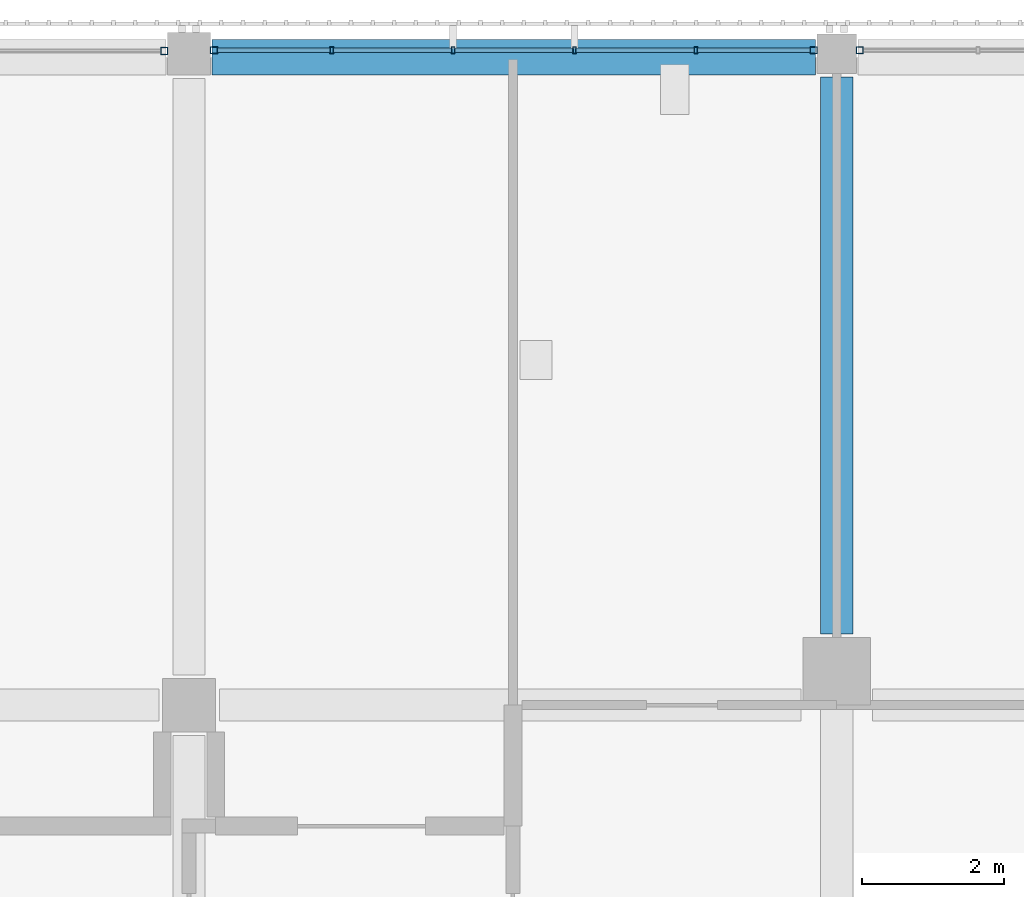
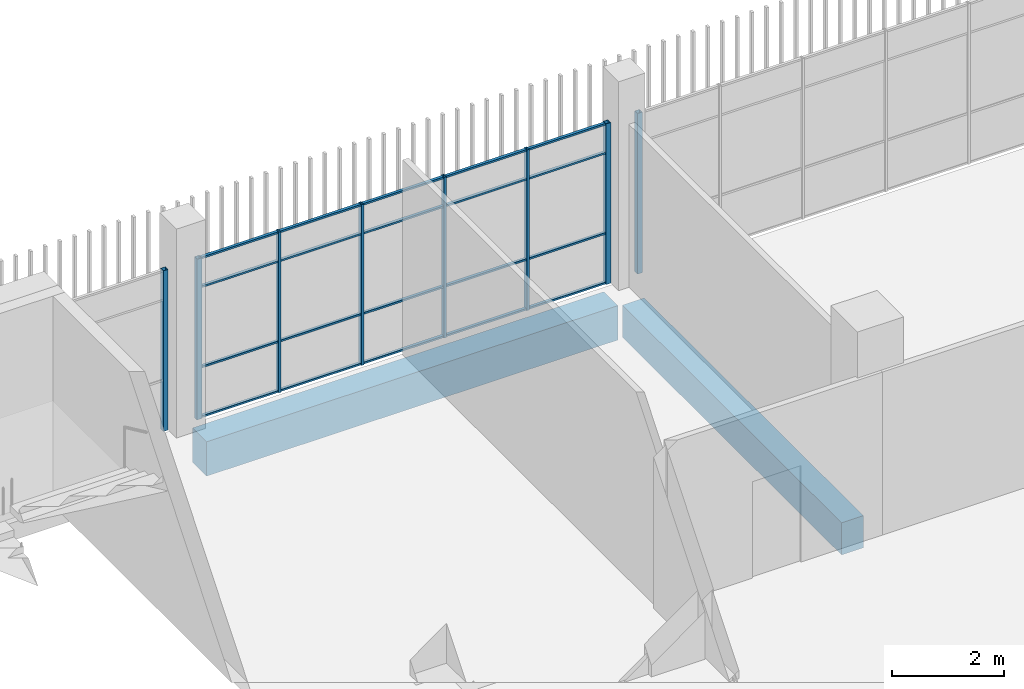
# One storey, part 24 of 104: 28 members, 2 beams, 3 elements without a shape of their own.
"""IFC4 building model written with IfcOpenShell, lengths in metres."""

from ifc_helpers import new_model, si_unit, direction, frame, origin, origin_2d, place, context, subcontext, project, spatial, rectangle, hollow_rectangle, extrude, material, layer, layer_set, material_profile, profile_set, type_object, element, aggregate, save


model = new_model("IFC4")

# Units and contexts
model_context = context("Model", 3, precision=1e-05, world=origin(), true_north=direction((0.0, 1.0)))
body_context = subcontext(model_context, "Body", "Model", "MODEL_VIEW")
ifc_project = project(units=[si_unit("LENGTHUNIT", "METRE"), si_unit("AREAUNIT", "SQUARE_METRE"), si_unit("VOLUMEUNIT", "CUBIC_METRE"), si_unit("PLANEANGLEUNIT", "RADIAN"), si_unit("MASSUNIT", "GRAM", prefix="KILO")], contexts=[model_context])

# Site, building, storey
site_placement = place(None, origin())
site = spatial("IfcSite", under=ifc_project, at=site_placement, CompositionType="ELEMENT")
building_placement = place(site_placement, origin())
building = spatial("IfcBuilding", under=site, at=building_placement, Name="Shirokan Park Arena", CompositionType="ELEMENT")
storey_placement = place(building_placement, frame((0.0, 0.0, 10.919921875)))
storey = spatial("IfcBuildingStorey", under=building, at=storey_placement, Name="L02", CompositionType="ELEMENT", Elevation=10.919921875)

# Curtain wall, member
ifc_material_1 = material(Name="Steel and glass curtain wall", Category="steel")
ifc_layer_1 = layer(ifc_material_1, 0.10009765625)
ifc_layer_set_1 = layer_set([ifc_layer_1], Name="Steel and glass curtain wall 100 mm")
curtain_wall_type_1 = type_object("IfcCurtainWallType", Name="Curtain wall sheltered bay 100", PredefinedType="NOTDEFINED", material=ifc_layer_set_1)
curtain_wall_1_placement = place(storey_placement, origin())
curtain_wall_1 = element("IfcCurtainWall", 1, at=curtain_wall_1_placement, inside=storey, type_object=curtain_wall_type_1, Name="Curtain wall north bay 11 L02", PredefinedType="NOTDEFINED")
ifc_material_2 = material(Name="Steel S355", Category="steel")
ifc_material_profile_1 = material_profile(ifc_material_2, hollow_rectangle(XDim=0.10009765625, YDim=0.10009765625, WallThickness=0.006103515625, at=origin_2d()), Name="RHS 100x100x6")
ifc_profile_set_1 = profile_set([ifc_material_profile_1], Name="Steel S355")
member_type_1 = type_object("IfcMemberType", Name="Mullion RHS 100x100x6", PredefinedType="MULLION", material=ifc_profile_set_1)
member_1_placement = place(storey_placement, frame((45.824951171875, 109.300048828125, 0.0), z_axis=(0.0, 0.0, 1.0), x_axis=(0.0, -1.0, 0.0)))
member_1 = element("IfcMember", 2, at=member_1_placement, type_object=member_type_1, Name="CW2 mullion 6", PredefinedType="MULLION", context=body_context, shape_type="SweptSolid", body=[
    extrude(hollow_rectangle(XDim=0.10009765625, YDim=0.10009765625, WallThickness=0.006103515625, at=origin_2d()), origin(), (0.0, 0.0, 1.0), 3.5),
])
aggregate(curtain_wall_1, [member_1])

# Curtain wall, members
curtain_wall_2_placement = place(storey_placement, origin())
curtain_wall_2 = element("IfcCurtainWall", 3, at=curtain_wall_2_placement, inside=storey, type_object=curtain_wall_type_1, Name="Curtain wall north bay 12 L02", PredefinedType="NOTDEFINED")
member_2_placement = place(storey_placement, frame((45.175048828125, 109.300048828125, 0.0), z_axis=(0.0, 0.0, 1.0), x_axis=(0.0, -1.0, 0.0)))
member_2 = element("IfcMember", 4, at=member_2_placement, type_object=member_type_1, Name="CW2 mullion 1", PredefinedType="MULLION", context=body_context, shape_type="SweptSolid", body=[
    extrude(hollow_rectangle(XDim=0.10009765625, YDim=0.10009765625, WallThickness=0.006103515625, at=origin_2d()), origin(), (0.0, 0.0, 1.0), 3.5),
])
member_3_placement = place(storey_placement, frame((36.75, 109.300048828125, 0.0), z_axis=(0.0, 0.0, 1.0), x_axis=(0.0, -1.0, 0.0)))
member_3 = element("IfcMember", 5, at=member_3_placement, type_object=member_type_1, Name="CW2 mullion 6", PredefinedType="MULLION", context=body_context, shape_type="SweptSolid", body=[
    extrude(hollow_rectangle(XDim=0.10009765625, YDim=0.10009765625, WallThickness=0.006103515625, at=origin_2d()), origin(), (0.0, 0.0, 1.0), 3.5),
])

# Curtain wall, member
ifc_layer_2 = layer(ifc_material_1, 0.1201171875)
ifc_layer_set_2 = layer_set([ifc_layer_2], Name="Steel and glass curtain wall 120 mm")
curtain_wall_type_2 = type_object("IfcCurtainWallType", Name="Curtain wall corner block side bay 120", PredefinedType="NOTDEFINED", material=ifc_layer_set_2)
curtain_wall_3_placement = place(storey_placement, origin())
curtain_wall_3 = element("IfcCurtainWall", 6, at=curtain_wall_3_placement, inside=storey, type_object=curtain_wall_type_2, Name="Curtain wall north bay 13 L02", PredefinedType="NOTDEFINED")
member_4_placement = place(storey_placement, frame((36.050048828125, 109.2900390625, 0.0), z_axis=(0.0, 0.0, 1.0), x_axis=(0.0, -1.0, 0.0)))
member_4 = element("IfcMember", 7, at=member_4_placement, type_object=member_type_1, Name="CW3 mullion 1", PredefinedType="MULLION", context=body_context, shape_type="SweptSolid", body=[
    extrude(hollow_rectangle(XDim=0.10009765625, YDim=0.10009765625, WallThickness=0.006103515625, at=origin_2d()), origin(), (0.0, 0.0, 1.0), 3.5),
])
aggregate(curtain_wall_3, [member_4])

# Member
ifc_material_profile_2 = material_profile(ifc_material_2, hollow_rectangle(XDim=0.10009765625, YDim=0.050048828125, WallThickness=0.0048828125, at=origin_2d()), Name="RHS 100x50x5")
ifc_profile_set_2 = profile_set([ifc_material_profile_2], Name="Steel S355")
member_type_2 = type_object("IfcMemberType", Name="Mullion RHS 100x50x5", PredefinedType="MULLION", material=ifc_profile_set_2)
member_5_placement = place(storey_placement, frame((43.52001953125, 109.300048828125, 0.0), z_axis=(0.0, 0.0, 1.0), x_axis=(0.0, -1.0, 0.0)))
member_5 = element("IfcMember", 8, at=member_5_placement, type_object=member_type_2, Name="CW2 mullion 2", PredefinedType="MULLION", context=body_context, shape_type="SweptSolid", body=[
    extrude(hollow_rectangle(XDim=0.10009765625, YDim=0.050048828125, WallThickness=0.0048828125, at=origin_2d()), origin(), (0.0, 0.0, 1.0), 3.5),
])

member_6_placement = place(storey_placement, frame((41.81494140625, 109.300048828125, 0.0), z_axis=(0.0, 0.0, 1.0), x_axis=(0.0, -1.0, 0.0)))
member_6 = element("IfcMember", 9, at=member_6_placement, type_object=member_type_2, Name="CW2 mullion 3", PredefinedType="MULLION", context=body_context, shape_type="SweptSolid", body=[
    extrude(hollow_rectangle(XDim=0.10009765625, YDim=0.050048828125, WallThickness=0.0048828125, at=origin_2d()), origin(), (0.0, 0.0, 1.0), 3.5),
])

member_7_placement = place(storey_placement, frame((40.110107421875, 109.300048828125, 0.0), z_axis=(0.0, 0.0, 1.0), x_axis=(0.0, -1.0, 0.0)))
member_7 = element("IfcMember", 10, at=member_7_placement, type_object=member_type_2, Name="CW2 mullion 4", PredefinedType="MULLION", context=body_context, shape_type="SweptSolid", body=[
    extrude(hollow_rectangle(XDim=0.10009765625, YDim=0.050048828125, WallThickness=0.0048828125, at=origin_2d()), origin(), (0.0, 0.0, 1.0), 3.5),
])

member_8_placement = place(storey_placement, frame((38.405029296875, 109.300048828125, 0.0), z_axis=(0.0, 0.0, 1.0), x_axis=(0.0, -1.0, 0.0)))
member_8 = element("IfcMember", 11, at=member_8_placement, type_object=member_type_2, Name="CW2 mullion 5", PredefinedType="MULLION", context=body_context, shape_type="SweptSolid", body=[
    extrude(hollow_rectangle(XDim=0.10009765625, YDim=0.050048828125, WallThickness=0.0048828125, at=origin_2d()), origin(), (0.0, 0.0, 1.0), 3.5),
])

# Beams
ifc_material_3 = material(Name="Concrete C35", Category="concrete")
ifc_material_profile_3 = material_profile(ifc_material_3, rectangle(XDim=0.449951171875, YDim=0.699951171875, at=origin_2d()), Name="450x700")
ifc_profile_set_3 = profile_set([ifc_material_profile_3], Name="Concrete C35")
beam_type_1 = type_object("IfcBeamType", Name="RC girder 450x700", PredefinedType="BEAM", material=ifc_profile_set_3)
beam_1_placement = place(storey_placement, frame((45.5, 101.10009765625, -0.64990234375), z_axis=(0.0, 1.0, 0.0), x_axis=(-1.0, 0.0, 0.0)))
element("IfcBeam", 12, at=beam_1_placement, inside=storey, type_object=beam_type_1, Name="Girder 6M-6N L02", PredefinedType="BEAM", context=body_context, shape_type="SweptSolid", body=[
    extrude(rectangle(XDim=0.449951171875, YDim=0.699951171875, at=origin_2d()), origin(), (0.0, 0.0, 1.0), 7.82470703125),
])
ifc_material_profile_4 = material_profile(ifc_material_3, rectangle(XDim=0.5, YDim=0.75, at=origin_2d()), Name="500x750")
ifc_profile_set_4 = profile_set([ifc_material_profile_4], Name="Concrete C35")
beam_type_2 = type_object("IfcBeamType", Name="RC girder 500x750", PredefinedType="BEAM", material=ifc_profile_set_4)
beam_2_placement = place(storey_placement, frame((36.72509765625, 109.199951171875, -0.6748046875), z_axis=(1.0, 0.0, 0.0), x_axis=(0.0, 1.0, 0.0)))
element("IfcBeam", 13, at=beam_2_placement, inside=storey, type_object=beam_type_2, Name="Girder 5N-6N L02", PredefinedType="BEAM", context=body_context, shape_type="SweptSolid", body=[
    extrude(rectangle(XDim=0.5, YDim=0.75, at=origin_2d()), origin(), (0.0, 0.0, 1.0), 8.474853515625),
])

# Member
ifc_material_profile_5 = material_profile(ifc_material_2, hollow_rectangle(XDim=0.06005859375, YDim=0.0400390625, WallThickness=0.00390625, at=origin_2d()), Name="RHS 60x40x4")
ifc_profile_set_5 = profile_set([ifc_material_profile_5], Name="Steel S355")
member_type_3 = type_object("IfcMemberType", Name="Transom RHS 60x40x4", PredefinedType="MULLION", material=ifc_profile_set_5)
member_9_placement = place(storey_placement, frame((45.125, 109.300048828125, 0.02001953125), z_axis=(-1.0, 0.0, 0.0), x_axis=(0.0, -1.0, 0.0)))
member_9 = element("IfcMember", 14, at=member_9_placement, type_object=member_type_3, Name="CW2 transom 1.1", PredefinedType="MULLION", context=body_context, shape_type="SweptSolid", body=[
    extrude(hollow_rectangle(XDim=0.06005859375, YDim=0.0400390625, WallThickness=0.00390625, at=origin_2d()), origin(), (0.0, 0.0, 1.0), 1.580078125),
])

member_10_placement = place(storey_placement, frame((45.125, 109.300048828125, 1.10009765625), z_axis=(-1.0, 0.0, 0.0), x_axis=(0.0, -1.0, 0.0)))
member_10 = element("IfcMember", 15, at=member_10_placement, type_object=member_type_3, Name="CW2 transom 1.2", PredefinedType="MULLION", context=body_context, shape_type="SweptSolid", body=[
    extrude(hollow_rectangle(XDim=0.06005859375, YDim=0.0400390625, WallThickness=0.00390625, at=origin_2d()), origin(), (0.0, 0.0, 1.0), 1.580078125),
])

member_11_placement = place(storey_placement, frame((45.125, 109.300048828125, 2.85009765625), z_axis=(-1.0, 0.0, 0.0), x_axis=(0.0, -1.0, 0.0)))
member_11 = element("IfcMember", 16, at=member_11_placement, type_object=member_type_3, Name="CW2 transom 1.3", PredefinedType="MULLION", context=body_context, shape_type="SweptSolid", body=[
    extrude(hollow_rectangle(XDim=0.06005859375, YDim=0.0400390625, WallThickness=0.00390625, at=origin_2d()), origin(), (0.0, 0.0, 1.0), 1.580078125),
])

member_12_placement = place(storey_placement, frame((45.125, 109.300048828125, 3.47998046875), z_axis=(-1.0, 0.0, 0.0), x_axis=(0.0, -1.0, 0.0)))
member_12 = element("IfcMember", 17, at=member_12_placement, type_object=member_type_3, Name="CW2 transom 1.4", PredefinedType="MULLION", context=body_context, shape_type="SweptSolid", body=[
    extrude(hollow_rectangle(XDim=0.06005859375, YDim=0.0400390625, WallThickness=0.00390625, at=origin_2d()), origin(), (0.0, 0.0, 1.0), 1.580078125),
])

member_13_placement = place(storey_placement, frame((43.4951171875, 109.300048828125, 0.02001953125), z_axis=(-1.0, 0.0, 0.0), x_axis=(0.0, -1.0, 0.0)))
member_13 = element("IfcMember", 18, at=member_13_placement, type_object=member_type_3, Name="CW2 transom 2.1", PredefinedType="MULLION", context=body_context, shape_type="SweptSolid", body=[
    extrude(hollow_rectangle(XDim=0.06005859375, YDim=0.0400390625, WallThickness=0.00390625, at=origin_2d()), origin(), (0.0, 0.0, 1.0), 1.655029296875),
])

member_14_placement = place(storey_placement, frame((43.4951171875, 109.300048828125, 1.10009765625), z_axis=(-1.0, 0.0, 0.0), x_axis=(0.0, -1.0, 0.0)))
member_14 = element("IfcMember", 19, at=member_14_placement, type_object=member_type_3, Name="CW2 transom 2.2", PredefinedType="MULLION", context=body_context, shape_type="SweptSolid", body=[
    extrude(hollow_rectangle(XDim=0.06005859375, YDim=0.0400390625, WallThickness=0.00390625, at=origin_2d()), origin(), (0.0, 0.0, 1.0), 1.655029296875),
])

member_15_placement = place(storey_placement, frame((43.4951171875, 109.300048828125, 2.85009765625), z_axis=(-1.0, 0.0, 0.0), x_axis=(0.0, -1.0, 0.0)))
member_15 = element("IfcMember", 20, at=member_15_placement, type_object=member_type_3, Name="CW2 transom 2.3", PredefinedType="MULLION", context=body_context, shape_type="SweptSolid", body=[
    extrude(hollow_rectangle(XDim=0.06005859375, YDim=0.0400390625, WallThickness=0.00390625, at=origin_2d()), origin(), (0.0, 0.0, 1.0), 1.655029296875),
])

member_16_placement = place(storey_placement, frame((43.4951171875, 109.300048828125, 3.47998046875), z_axis=(-1.0, 0.0, 0.0), x_axis=(0.0, -1.0, 0.0)))
member_16 = element("IfcMember", 21, at=member_16_placement, type_object=member_type_3, Name="CW2 transom 2.4", PredefinedType="MULLION", context=body_context, shape_type="SweptSolid", body=[
    extrude(hollow_rectangle(XDim=0.06005859375, YDim=0.0400390625, WallThickness=0.00390625, at=origin_2d()), origin(), (0.0, 0.0, 1.0), 1.655029296875),
])

member_17_placement = place(storey_placement, frame((41.7900390625, 109.300048828125, 0.02001953125), z_axis=(-1.0, 0.0, 0.0), x_axis=(0.0, -1.0, 0.0)))
member_17 = element("IfcMember", 22, at=member_17_placement, type_object=member_type_3, Name="CW2 transom 3.1", PredefinedType="MULLION", context=body_context, shape_type="SweptSolid", body=[
    extrude(hollow_rectangle(XDim=0.06005859375, YDim=0.0400390625, WallThickness=0.00390625, at=origin_2d()), origin(), (0.0, 0.0, 1.0), 1.655029296875),
])

member_18_placement = place(storey_placement, frame((41.7900390625, 109.300048828125, 1.10009765625), z_axis=(-1.0, 0.0, 0.0), x_axis=(0.0, -1.0, 0.0)))
member_18 = element("IfcMember", 23, at=member_18_placement, type_object=member_type_3, Name="CW2 transom 3.2", PredefinedType="MULLION", context=body_context, shape_type="SweptSolid", body=[
    extrude(hollow_rectangle(XDim=0.06005859375, YDim=0.0400390625, WallThickness=0.00390625, at=origin_2d()), origin(), (0.0, 0.0, 1.0), 1.655029296875),
])

member_19_placement = place(storey_placement, frame((41.7900390625, 109.300048828125, 2.85009765625), z_axis=(-1.0, 0.0, 0.0), x_axis=(0.0, -1.0, 0.0)))
member_19 = element("IfcMember", 24, at=member_19_placement, type_object=member_type_3, Name="CW2 transom 3.3", PredefinedType="MULLION", context=body_context, shape_type="SweptSolid", body=[
    extrude(hollow_rectangle(XDim=0.06005859375, YDim=0.0400390625, WallThickness=0.00390625, at=origin_2d()), origin(), (0.0, 0.0, 1.0), 1.655029296875),
])

member_20_placement = place(storey_placement, frame((41.7900390625, 109.300048828125, 3.47998046875), z_axis=(-1.0, 0.0, 0.0), x_axis=(0.0, -1.0, 0.0)))
member_20 = element("IfcMember", 25, at=member_20_placement, type_object=member_type_3, Name="CW2 transom 3.4", PredefinedType="MULLION", context=body_context, shape_type="SweptSolid", body=[
    extrude(hollow_rectangle(XDim=0.06005859375, YDim=0.0400390625, WallThickness=0.00390625, at=origin_2d()), origin(), (0.0, 0.0, 1.0), 1.655029296875),
])

member_21_placement = place(storey_placement, frame((40.0849609375, 109.300048828125, 0.02001953125), z_axis=(-1.0, 0.0, 0.0), x_axis=(0.0, -1.0, 0.0)))
member_21 = element("IfcMember", 26, at=member_21_placement, type_object=member_type_3, Name="CW2 transom 4.1", PredefinedType="MULLION", context=body_context, shape_type="SweptSolid", body=[
    extrude(hollow_rectangle(XDim=0.06005859375, YDim=0.0400390625, WallThickness=0.00390625, at=origin_2d()), origin(), (0.0, 0.0, 1.0), 1.655029296875),
])

member_22_placement = place(storey_placement, frame((40.0849609375, 109.300048828125, 1.10009765625), z_axis=(-1.0, 0.0, 0.0), x_axis=(0.0, -1.0, 0.0)))
member_22 = element("IfcMember", 27, at=member_22_placement, type_object=member_type_3, Name="CW2 transom 4.2", PredefinedType="MULLION", context=body_context, shape_type="SweptSolid", body=[
    extrude(hollow_rectangle(XDim=0.06005859375, YDim=0.0400390625, WallThickness=0.00390625, at=origin_2d()), origin(), (0.0, 0.0, 1.0), 1.655029296875),
])

member_23_placement = place(storey_placement, frame((40.0849609375, 109.300048828125, 2.85009765625), z_axis=(-1.0, 0.0, 0.0), x_axis=(0.0, -1.0, 0.0)))
member_23 = element("IfcMember", 28, at=member_23_placement, type_object=member_type_3, Name="CW2 transom 4.3", PredefinedType="MULLION", context=body_context, shape_type="SweptSolid", body=[
    extrude(hollow_rectangle(XDim=0.06005859375, YDim=0.0400390625, WallThickness=0.00390625, at=origin_2d()), origin(), (0.0, 0.0, 1.0), 1.655029296875),
])

member_24_placement = place(storey_placement, frame((40.0849609375, 109.300048828125, 3.47998046875), z_axis=(-1.0, 0.0, 0.0), x_axis=(0.0, -1.0, 0.0)))
member_24 = element("IfcMember", 29, at=member_24_placement, type_object=member_type_3, Name="CW2 transom 4.4", PredefinedType="MULLION", context=body_context, shape_type="SweptSolid", body=[
    extrude(hollow_rectangle(XDim=0.06005859375, YDim=0.0400390625, WallThickness=0.00390625, at=origin_2d()), origin(), (0.0, 0.0, 1.0), 1.655029296875),
])

member_25_placement = place(storey_placement, frame((38.3798828125, 109.300048828125, 0.02001953125), z_axis=(-1.0, 0.0, 0.0), x_axis=(0.0, -1.0, 0.0)))
member_25 = element("IfcMember", 30, at=member_25_placement, type_object=member_type_3, Name="CW2 transom 5.1", PredefinedType="MULLION", context=body_context, shape_type="SweptSolid", body=[
    extrude(hollow_rectangle(XDim=0.06005859375, YDim=0.0400390625, WallThickness=0.00390625, at=origin_2d()), origin(), (0.0, 0.0, 1.0), 1.579833984375),
])

member_26_placement = place(storey_placement, frame((38.3798828125, 109.300048828125, 1.10009765625), z_axis=(-1.0, 0.0, 0.0), x_axis=(0.0, -1.0, 0.0)))
member_26 = element("IfcMember", 31, at=member_26_placement, type_object=member_type_3, Name="CW2 transom 5.2", PredefinedType="MULLION", context=body_context, shape_type="SweptSolid", body=[
    extrude(hollow_rectangle(XDim=0.06005859375, YDim=0.0400390625, WallThickness=0.00390625, at=origin_2d()), origin(), (0.0, 0.0, 1.0), 1.579833984375),
])

member_27_placement = place(storey_placement, frame((38.3798828125, 109.300048828125, 2.85009765625), z_axis=(-1.0, 0.0, 0.0), x_axis=(0.0, -1.0, 0.0)))
member_27 = element("IfcMember", 32, at=member_27_placement, type_object=member_type_3, Name="CW2 transom 5.3", PredefinedType="MULLION", context=body_context, shape_type="SweptSolid", body=[
    extrude(hollow_rectangle(XDim=0.06005859375, YDim=0.0400390625, WallThickness=0.00390625, at=origin_2d()), origin(), (0.0, 0.0, 1.0), 1.579833984375),
])

member_28_placement = place(storey_placement, frame((38.3798828125, 109.300048828125, 3.47998046875), z_axis=(-1.0, 0.0, 0.0), x_axis=(0.0, -1.0, 0.0)))
member_28 = element("IfcMember", 33, at=member_28_placement, type_object=member_type_3, Name="CW2 transom 5.4", PredefinedType="MULLION", context=body_context, shape_type="SweptSolid", body=[
    extrude(hollow_rectangle(XDim=0.06005859375, YDim=0.0400390625, WallThickness=0.00390625, at=origin_2d()), origin(), (0.0, 0.0, 1.0), 1.579833984375),
])

aggregate(curtain_wall_2, [member_2, member_5, member_6, member_7, member_8, member_3, member_9, member_10, member_11, member_12, member_13, member_14, member_15, member_16, member_17, member_18, member_19, member_20, member_21, member_22, member_23, member_24, member_25, member_26, member_27, member_28])

save(model, "model.ifc")
